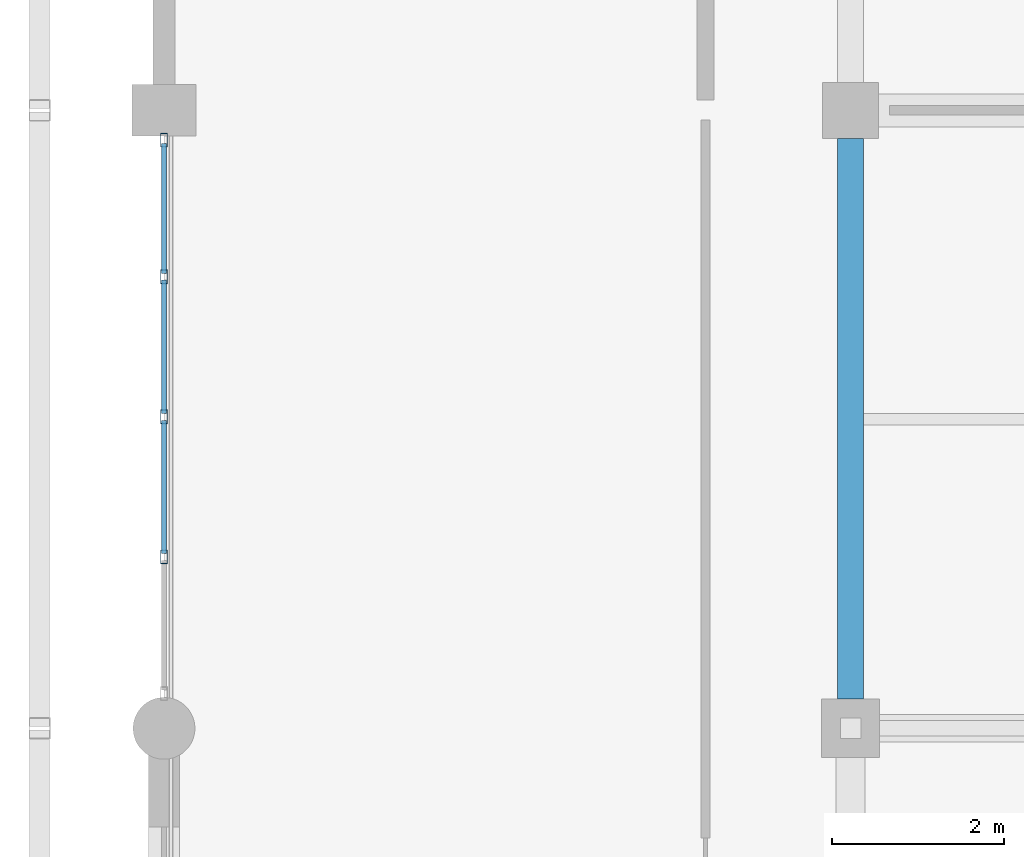
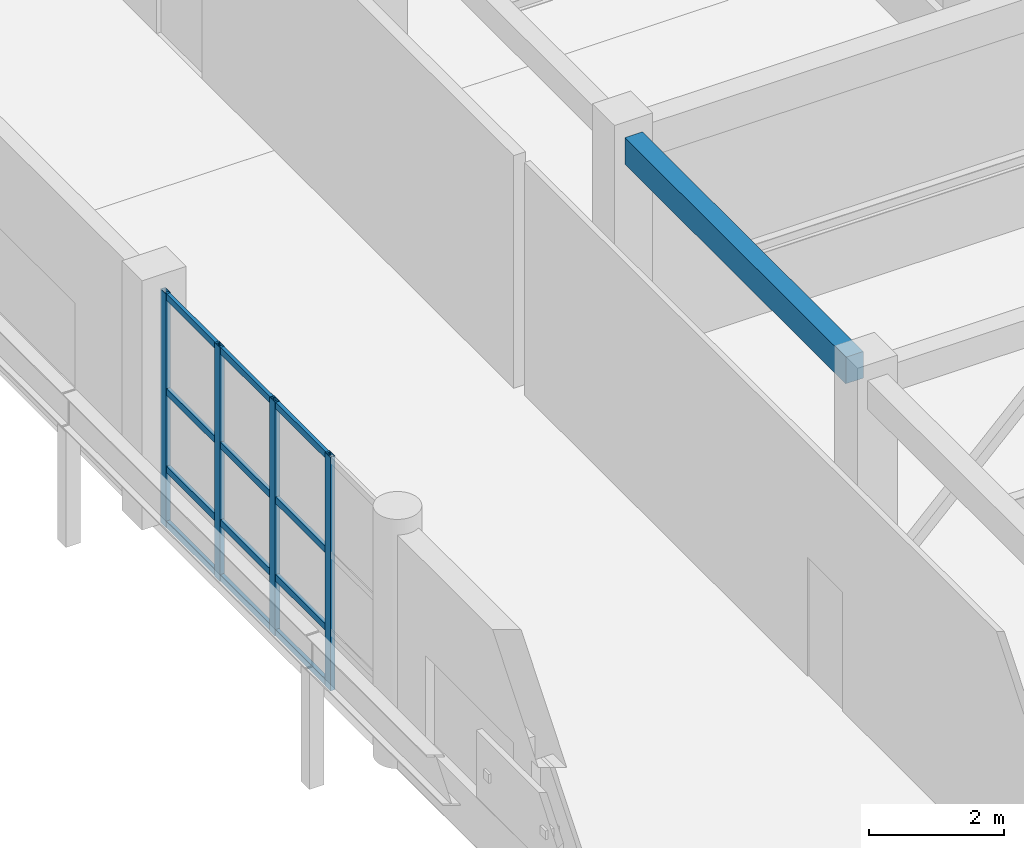
# One storey, part 67 of 160: 16 members, 1 beam, 1 element without a shape of its own.
"""IFC4 building model written with IfcOpenShell, lengths in metres."""

from ifc_helpers import new_model, si_unit, direction, frame, origin, origin_2d, place, context, subcontext, project, spatial, rectangle, hollow_rectangle, extrude, material, material_profile, profile_set, type_object, element, aggregate, save


model = new_model("IFC4")

# Units and contexts
model_context = context("Model", 3, precision=1e-05, world=origin(), true_north=direction((0.0, 1.0)))
body_context = subcontext(model_context, "Body", "Model", "MODEL_VIEW")
ifc_project = project(units=[si_unit("LENGTHUNIT", "METRE"), si_unit("AREAUNIT", "SQUARE_METRE"), si_unit("VOLUMEUNIT", "CUBIC_METRE"), si_unit("PLANEANGLEUNIT", "RADIAN"), si_unit("MASSUNIT", "GRAM", prefix="KILO")], contexts=[model_context])

# Site, building, storey
site_placement = place(None, origin())
site = spatial("IfcSite", under=ifc_project, at=site_placement, CompositionType="ELEMENT")
building_placement = place(site_placement, origin())
building = spatial("IfcBuilding", under=site, at=building_placement, Name="Kharva Crest Polytechnic", CompositionType="ELEMENT")
storey_placement = place(building_placement, frame((0.0, 0.0, 4.5)))
storey = spatial("IfcBuildingStorey", under=building, at=storey_placement, Name="L01", CompositionType="ELEMENT", Elevation=4.5)

# Beam
ifc_material_1 = material(Name="Concrete C35/45", Category="concrete")
ifc_material_profile_1 = material_profile(ifc_material_1, rectangle(XDim=0.300048828125, YDim=0.47998046875, at=origin_2d()), Name="RECT 300 X 480")
ifc_profile_set_1 = profile_set([ifc_material_profile_1], Name="Concrete C35/45")
beam_type = type_object("IfcBeamType", Name="BM-RC-300X480", PredefinedType="BEAM", material=ifc_profile_set_1)
beam_placement = place(storey_placement, frame((40.0, 79.139892578125, 3.97998046875), z_axis=(0.0, 1.0, 0.0), x_axis=(-1.0, 0.0, 0.0)))
element("IfcBeam", 1, at=beam_placement, inside=storey, type_object=beam_type, Name="L01 Girder 6/L-M", PredefinedType="BEAM", context=body_context, shape_type="SweptSolid", body=[
    extrude(rectangle(XDim=0.300048828125, YDim=0.47998046875, at=origin_2d()), origin(), (0.0, 0.0, 1.0), 6.53515625),
])

# Curtain wall, members
ifc_material_2 = material(Name="Tempered insulated glass", Category="glass")
curtain_wall_type = type_object("IfcCurtainWallType", Name="CW-SYS-COURT", PredefinedType="USERDEFINED", material=ifc_material_2)
curtain_wall_placement = place(storey_placement, origin())
curtain_wall = element("IfcCurtainWall", 2, at=curtain_wall_placement, inside=storey, type_object=curtain_wall_type, Name="L01 Glazed Curtain Wall CW-053", ObjectType="CURTAIN WALL", PredefinedType="USERDEFINED")
ifc_material_3 = material(Name="Steel S355", Category="steel")
ifc_material_profile_2 = material_profile(ifc_material_3, hollow_rectangle(XDim=0.080078125, YDim=0.159912109375, WallThickness=0.0048828125, at=origin_2d()), Name="RHS 160X80X5.0")
ifc_profile_set_2 = profile_set([ifc_material_profile_2], Name="Steel S355")
member_type_1 = type_object("IfcMemberType", Name="CWM-RHS160X80", PredefinedType="MULLION", material=ifc_profile_set_2)
member_1_placement = place(storey_placement, frame((32.0, 85.655029296875, 0.0), z_axis=(0.0, 0.0, 1.0), x_axis=(1.0, 0.0, 0.0)))
member_1 = element("IfcMember", 3, at=member_1_placement, type_object=member_type_1, Name="CW-053 mullion 1", PredefinedType="MULLION", context=body_context, shape_type="SweptSolid", body=[
    extrude(hollow_rectangle(XDim=0.080078125, YDim=0.159912109375, WallThickness=0.0048828125, at=origin_2d()), origin(), (0.0, 0.0, 1.0), 4.219970703125),
])
member_2_placement = place(storey_placement, frame((32.0, 84.0625, 0.0), z_axis=(0.0, 0.0, 1.0), x_axis=(1.0, 0.0, 0.0)))
member_2 = element("IfcMember", 4, at=member_2_placement, type_object=member_type_1, Name="CW-053 mullion 2", PredefinedType="MULLION", context=body_context, shape_type="SweptSolid", body=[
    extrude(hollow_rectangle(XDim=0.080078125, YDim=0.159912109375, WallThickness=0.0048828125, at=origin_2d()), origin(), (0.0, 0.0, 1.0), 4.219970703125),
])
member_3_placement = place(storey_placement, frame((32.0, 82.429931640625, 0.0), z_axis=(0.0, 0.0, 1.0), x_axis=(1.0, 0.0, 0.0)))
member_3 = element("IfcMember", 5, at=member_3_placement, type_object=member_type_1, Name="CW-053 mullion 3", PredefinedType="MULLION", context=body_context, shape_type="SweptSolid", body=[
    extrude(hollow_rectangle(XDim=0.080078125, YDim=0.159912109375, WallThickness=0.0048828125, at=origin_2d()), origin(), (0.0, 0.0, 1.0), 4.219970703125),
])
member_4_placement = place(storey_placement, frame((32.0, 80.797607421875, 0.0), z_axis=(0.0, 0.0, 1.0), x_axis=(1.0, 0.0, 0.0)))
member_4 = element("IfcMember", 6, at=member_4_placement, type_object=member_type_1, Name="CW-053 mullion 4", PredefinedType="MULLION", context=body_context, shape_type="SweptSolid", body=[
    extrude(hollow_rectangle(XDim=0.080078125, YDim=0.159912109375, WallThickness=0.0048828125, at=origin_2d()), origin(), (0.0, 0.0, 1.0), 4.219970703125),
])
ifc_material_profile_3 = material_profile(ifc_material_3, hollow_rectangle(XDim=0.06005859375, YDim=0.1201171875, WallThickness=0.00390625, at=origin_2d()), Name="RHS 120X60X4.0")
ifc_profile_set_3 = profile_set([ifc_material_profile_3], Name="Steel S355")
member_type_2 = type_object("IfcMemberType", Name="CWT-RHS120X60", PredefinedType="USERDEFINED", material=ifc_profile_set_3)
member_5_placement = place(storey_placement, frame((32.0, 85.614990234375, 0.06005859375), z_axis=(0.0, -1.0, 0.0), x_axis=(1.0, 0.0, 0.0)))
member_5 = element("IfcMember", 7, at=member_5_placement, type_object=member_type_2, Name="CW-053 transom 1.1", ObjectType="TRANSOM", PredefinedType="USERDEFINED", context=body_context, shape_type="SweptSolid", body=[
    extrude(hollow_rectangle(XDim=0.06005859375, YDim=0.1201171875, WallThickness=0.00390625, at=origin_2d()), origin(), (0.0, 0.0, 1.0), 1.512451171875),
])
member_6_placement = place(storey_placement, frame((32.0, 85.614990234375, 1.050048828125), z_axis=(0.0, -1.0, 0.0), x_axis=(1.0, 0.0, 0.0)))
member_6 = element("IfcMember", 8, at=member_6_placement, type_object=member_type_2, Name="CW-053 transom 1.2", ObjectType="TRANSOM", PredefinedType="USERDEFINED", context=body_context, shape_type="SweptSolid", body=[
    extrude(hollow_rectangle(XDim=0.06005859375, YDim=0.1201171875, WallThickness=0.00390625, at=origin_2d()), origin(), (0.0, 0.0, 1.0), 1.512451171875),
])
member_7_placement = place(storey_placement, frame((32.0, 85.614990234375, 2.449951171875), z_axis=(0.0, -1.0, 0.0), x_axis=(1.0, 0.0, 0.0)))
member_7 = element("IfcMember", 9, at=member_7_placement, type_object=member_type_2, Name="CW-053 transom 1.3", ObjectType="TRANSOM", PredefinedType="USERDEFINED", context=body_context, shape_type="SweptSolid", body=[
    extrude(hollow_rectangle(XDim=0.06005859375, YDim=0.1201171875, WallThickness=0.00390625, at=origin_2d()), origin(), (0.0, 0.0, 1.0), 1.512451171875),
])
member_8_placement = place(storey_placement, frame((32.0, 85.614990234375, 4.159912109375), z_axis=(0.0, -1.0, 0.0), x_axis=(1.0, 0.0, 0.0)))
member_8 = element("IfcMember", 10, at=member_8_placement, type_object=member_type_2, Name="CW-053 transom 1.4", ObjectType="TRANSOM", PredefinedType="USERDEFINED", context=body_context, shape_type="SweptSolid", body=[
    extrude(hollow_rectangle(XDim=0.06005859375, YDim=0.1201171875, WallThickness=0.00390625, at=origin_2d()), origin(), (0.0, 0.0, 1.0), 1.512451171875),
])
member_9_placement = place(storey_placement, frame((32.0, 84.0224609375, 0.06005859375), z_axis=(0.0, -1.0, 0.0), x_axis=(1.0, 0.0, 0.0)))
member_9 = element("IfcMember", 11, at=member_9_placement, type_object=member_type_2, Name="CW-053 transom 2.1", ObjectType="TRANSOM", PredefinedType="USERDEFINED", context=body_context, shape_type="SweptSolid", body=[
    extrude(hollow_rectangle(XDim=0.06005859375, YDim=0.1201171875, WallThickness=0.00390625, at=origin_2d()), origin(), (0.0, 0.0, 1.0), 1.552490234375),
])
member_10_placement = place(storey_placement, frame((32.0, 84.0224609375, 1.050048828125), z_axis=(0.0, -1.0, 0.0), x_axis=(1.0, 0.0, 0.0)))
member_10 = element("IfcMember", 12, at=member_10_placement, type_object=member_type_2, Name="CW-053 transom 2.2", ObjectType="TRANSOM", PredefinedType="USERDEFINED", context=body_context, shape_type="SweptSolid", body=[
    extrude(hollow_rectangle(XDim=0.06005859375, YDim=0.1201171875, WallThickness=0.00390625, at=origin_2d()), origin(), (0.0, 0.0, 1.0), 1.552490234375),
])
member_11_placement = place(storey_placement, frame((32.0, 84.0224609375, 2.449951171875), z_axis=(0.0, -1.0, 0.0), x_axis=(1.0, 0.0, 0.0)))
member_11 = element("IfcMember", 13, at=member_11_placement, type_object=member_type_2, Name="CW-053 transom 2.3", ObjectType="TRANSOM", PredefinedType="USERDEFINED", context=body_context, shape_type="SweptSolid", body=[
    extrude(hollow_rectangle(XDim=0.06005859375, YDim=0.1201171875, WallThickness=0.00390625, at=origin_2d()), origin(), (0.0, 0.0, 1.0), 1.552490234375),
])
member_12_placement = place(storey_placement, frame((32.0, 84.0224609375, 4.159912109375), z_axis=(0.0, -1.0, 0.0), x_axis=(1.0, 0.0, 0.0)))
member_12 = element("IfcMember", 14, at=member_12_placement, type_object=member_type_2, Name="CW-053 transom 2.4", ObjectType="TRANSOM", PredefinedType="USERDEFINED", context=body_context, shape_type="SweptSolid", body=[
    extrude(hollow_rectangle(XDim=0.06005859375, YDim=0.1201171875, WallThickness=0.00390625, at=origin_2d()), origin(), (0.0, 0.0, 1.0), 1.552490234375),
])
member_13_placement = place(storey_placement, frame((32.0, 82.389892578125, 0.06005859375), z_axis=(0.0, -1.0, 0.0), x_axis=(1.0, 0.0, 0.0)))
member_13 = element("IfcMember", 15, at=member_13_placement, type_object=member_type_2, Name="CW-053 transom 3.1", ObjectType="TRANSOM", PredefinedType="USERDEFINED", context=body_context, shape_type="SweptSolid", body=[
    extrude(hollow_rectangle(XDim=0.06005859375, YDim=0.1201171875, WallThickness=0.00390625, at=origin_2d()), origin(), (0.0, 0.0, 1.0), 1.552490234375),
])
member_14_placement = place(storey_placement, frame((32.0, 82.389892578125, 1.050048828125), z_axis=(0.0, -1.0, 0.0), x_axis=(1.0, 0.0, 0.0)))
member_14 = element("IfcMember", 16, at=member_14_placement, type_object=member_type_2, Name="CW-053 transom 3.2", ObjectType="TRANSOM", PredefinedType="USERDEFINED", context=body_context, shape_type="SweptSolid", body=[
    extrude(hollow_rectangle(XDim=0.06005859375, YDim=0.1201171875, WallThickness=0.00390625, at=origin_2d()), origin(), (0.0, 0.0, 1.0), 1.552490234375),
])
member_15_placement = place(storey_placement, frame((32.0, 82.389892578125, 2.449951171875), z_axis=(0.0, -1.0, 0.0), x_axis=(1.0, 0.0, 0.0)))
member_15 = element("IfcMember", 17, at=member_15_placement, type_object=member_type_2, Name="CW-053 transom 3.3", ObjectType="TRANSOM", PredefinedType="USERDEFINED", context=body_context, shape_type="SweptSolid", body=[
    extrude(hollow_rectangle(XDim=0.06005859375, YDim=0.1201171875, WallThickness=0.00390625, at=origin_2d()), origin(), (0.0, 0.0, 1.0), 1.552490234375),
])
member_16_placement = place(storey_placement, frame((32.0, 82.389892578125, 4.159912109375), z_axis=(0.0, -1.0, 0.0), x_axis=(1.0, 0.0, 0.0)))
member_16 = element("IfcMember", 18, at=member_16_placement, type_object=member_type_2, Name="CW-053 transom 3.4", ObjectType="TRANSOM", PredefinedType="USERDEFINED", context=body_context, shape_type="SweptSolid", body=[
    extrude(hollow_rectangle(XDim=0.06005859375, YDim=0.1201171875, WallThickness=0.00390625, at=origin_2d()), origin(), (0.0, 0.0, 1.0), 1.552490234375),
])
aggregate(curtain_wall, [member_1, member_2, member_3, member_4, member_5, member_6, member_7, member_8, member_9, member_10, member_11, member_12, member_13, member_14, member_15, member_16])

save(model, "model.ifc")
